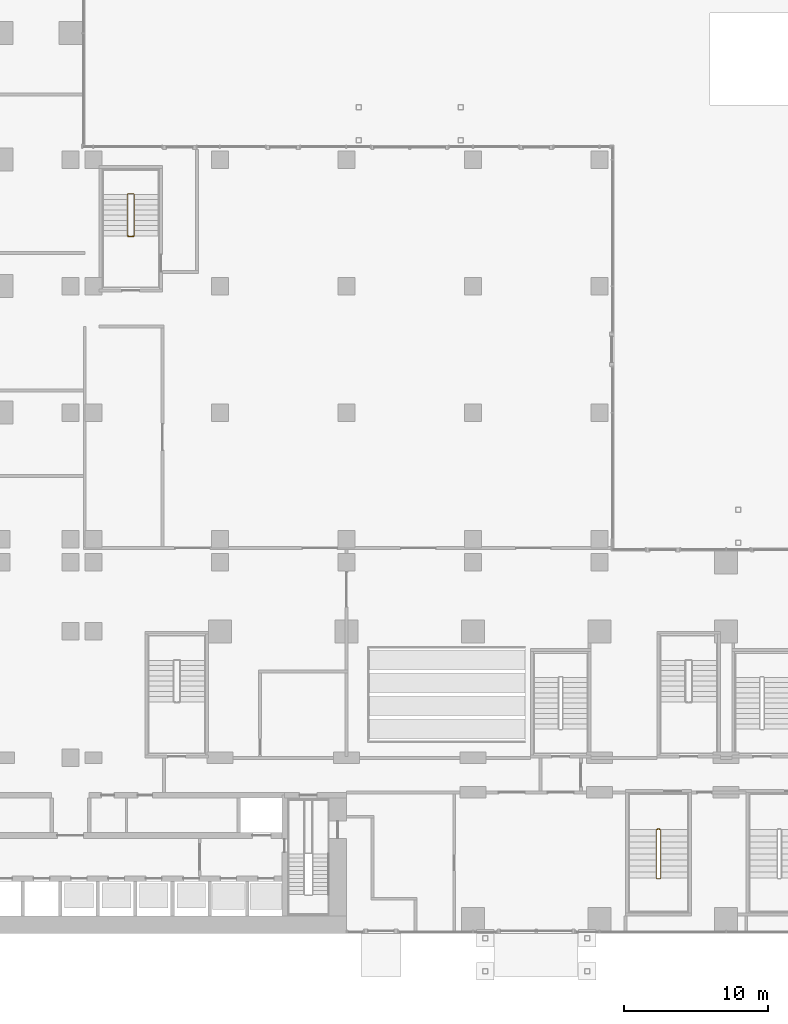
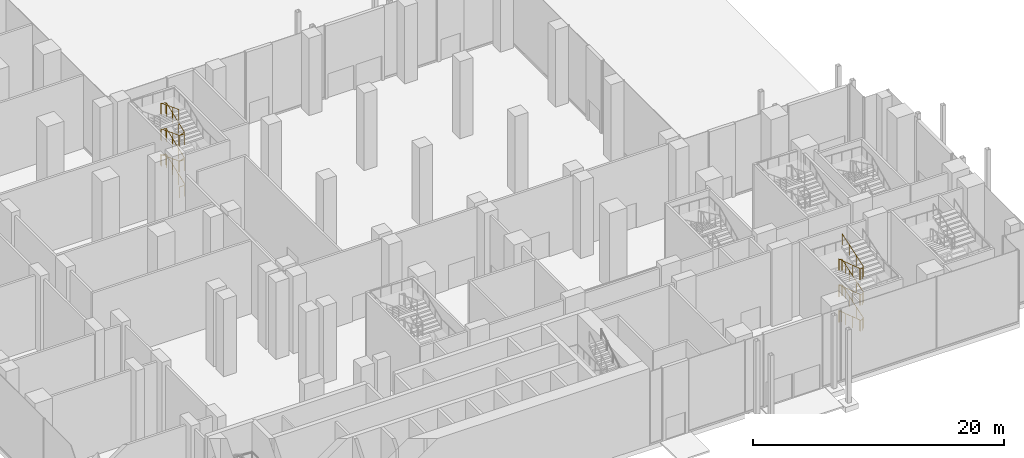
# One storey, part 36 of 41: 2 railings.
"""IFC4 building model written with IfcOpenShell, lengths in metres."""

from ifc_helpers import new_model, si_unit, direction, frame, origin, origin_2d, place, context, subcontext, project, spatial, circle, extrude, material, type_object, element, save


model = new_model("IFC4")

# Units and contexts
model_context = context("Model", 3, precision=1e-05, world=origin(), true_north=direction((0.0, 1.0)))
body_context = subcontext(model_context, "Body", "Model", "MODEL_VIEW")
ifc_project = project(units=[si_unit("LENGTHUNIT", "METRE"), si_unit("AREAUNIT", "SQUARE_METRE"), si_unit("VOLUMEUNIT", "CUBIC_METRE"), si_unit("PLANEANGLEUNIT", "RADIAN"), si_unit("MASSUNIT", "GRAM", prefix="KILO")], contexts=[model_context])

# Site, building, storey
site_placement = place(None, origin())
site = spatial("IfcSite", under=ifc_project, at=site_placement, CompositionType="ELEMENT")
building_placement = place(site_placement, origin())
building = spatial("IfcBuilding", under=site, at=building_placement, Name="Kemantara Hotel Tower", CompositionType="ELEMENT")
storey_placement = place(building_placement, origin())
storey = spatial("IfcBuildingStorey", under=building, at=storey_placement, Name="L00", CompositionType="ELEMENT", Elevation=0.0)

# Railings
ifc_material = material(Name="Stainless steel balustrade", Category="steel")
railing_type = type_object("IfcRailingType", Name="Stair guard 1100 mm", PredefinedType="GUARDRAIL", material=ifc_material)
railing_1_placement = place(storey_placement, frame((29.75, 48.5, 7.5)))
element("IfcRailing", 1, at=railing_1_placement, inside=storey, type_object=railing_type, Name="L00 PS2 stair guard 1", PredefinedType="GUARDRAIL", context=body_context, shape_type="SweptSolid", body=[
    extrude(circle(Radius=0.02392578125, at=origin_2d()), frame((0.0, 0.0, 1.076171875), z_axis=(0.0, 0.932972064118, -0.359948784656), x_axis=(-1.0, 0.0, 0.0)), (0.0, 0.0, 1.0), 3.086669921875),
    extrude(circle(Radius=0.02392578125, at=origin_2d()), frame((0.0, 2.8798828125, -0.03515625), z_axis=(0.321014310373, 0.321014310373, -0.891010451718), x_axis=(-0.707106781187, 0.707106781187, 0.0)), (0.0, 0.0, 1.0), 0.156005859375),
    extrude(circle(Radius=0.02392578125, at=origin_2d()), frame((0.050048828125, 2.929931640625, -0.173828125), z_axis=(1.0, 0.0, 0.0), x_axis=(0.0, 1.0, 0.0)), (0.0, 0.0, 1.0), 0.39990234375),
    extrude(circle(Radius=0.02392578125, at=origin_2d()), frame((0.449951171875, 2.929931640625, -0.173828125), z_axis=(0.707106781187, -0.707106781187, 0.0), x_axis=(0.707106781187, 0.707106781187, 0.0)), (0.0, 0.0, 1.0), 0.07080078125),
    extrude(circle(Radius=0.02392578125, at=origin_2d()), frame((0.5, 2.8798828125, -0.173828125), z_axis=(0.0, -0.932972064118, -0.359948784656), x_axis=(1.0, 0.0, 0.0)), (0.0, 0.0, 1.0), 3.086669921875),
    extrude(circle(Radius=0.02392578125, at=origin_2d()), frame((0.5, 0.0, -1.28515625), z_axis=(-0.950147067569, -0.105686461667, -0.293344374089), x_axis=(0.110549901152, -0.993870574751, 0.0)), (0.0, 0.0, 1.0), 0.4736328125),
    extrude(circle(Radius=0.02392578125, at=origin_2d()), frame((0.050048828125, -0.050048828125, -1.423828125), z_axis=(1.0, 0.0, 0.0), x_axis=(0.0, 1.0, 0.0)), (0.0, 0.0, 1.0), 0.39990234375),
    extrude(circle(Radius=0.02392578125, at=origin_2d()), frame((0.449951171875, -0.050048828125, -1.423828125), z_axis=(-0.993870574751, 0.110549901152, 0.0), x_axis=(-0.110549901152, -0.993870574751, 0.0)), (0.0, 0.0, 1.0), 0.45263671875),
    extrude(circle(Radius=0.02392578125, at=origin_2d()), frame((0.0, 0.0, -1.423828125), z_axis=(0.0, 0.932972064118, -0.359948784656), x_axis=(-1.0, 0.0, 0.0)), (0.0, 0.0, 1.0), 3.086669921875),
    extrude(circle(Radius=0.02392578125, at=origin_2d()), frame((0.0, 2.8798828125, -2.53515625), z_axis=(0.321014310373, 0.321014310373, -0.891010451718), x_axis=(-0.707106781187, 0.707106781187, 0.0)), (0.0, 0.0, 1.0), 0.156005859375),
    extrude(circle(Radius=0.02392578125, at=origin_2d()), frame((0.050048828125, 2.929931640625, -2.673828125), z_axis=(1.0, 0.0, 0.0), x_axis=(0.0, 1.0, 0.0)), (0.0, 0.0, 1.0), 0.39990234375),
    extrude(circle(Radius=0.02392578125, at=origin_2d()), frame((0.449951171875, 2.929931640625, -2.673828125), z_axis=(0.707106781187, -0.707106781187, 0.0), x_axis=(0.707106781187, 0.707106781187, 0.0)), (0.0, 0.0, 1.0), 0.07080078125),
    extrude(circle(Radius=0.02392578125, at=origin_2d()), frame((0.5, 2.8798828125, -2.673828125), z_axis=(0.0, -0.932972064118, -0.359948784656), x_axis=(1.0, 0.0, 0.0)), (0.0, 0.0, 1.0), 3.086669921875),
    extrude(circle(Radius=0.02392578125, at=origin_2d()), frame((0.5, 0.0, -3.78515625), z_axis=(-0.950147067569, -0.105686461667, -0.293344374089), x_axis=(0.110549901152, -0.993870574751, 0.0)), (0.0, 0.0, 1.0), 0.4736328125),
    extrude(circle(Radius=0.02392578125, at=origin_2d()), frame((0.050048828125, -0.050048828125, -3.923828125), z_axis=(1.0, 0.0, 0.0), x_axis=(0.0, 1.0, 0.0)), (0.0, 0.0, 1.0), 0.39990234375),
    extrude(circle(Radius=0.02392578125, at=origin_2d()), frame((0.449951171875, -0.050048828125, -3.923828125), z_axis=(-0.993870574751, 0.110549901152, 0.0), x_axis=(-0.110549901152, -0.993870574751, 0.0)), (0.0, 0.0, 1.0), 0.45263671875),
    extrude(circle(Radius=0.02392578125, at=origin_2d()), frame((0.0, 0.0, -3.923828125), z_axis=(0.0, 0.932972064118, -0.359948784656), x_axis=(-1.0, 0.0, 0.0)), (0.0, 0.0, 1.0), 3.086669921875),
    extrude(circle(Radius=0.02392578125, at=origin_2d()), frame((0.0, 2.8798828125, -5.03515625), z_axis=(0.321014310373, 0.321014310373, -0.891010451718), x_axis=(-0.707106781187, 0.707106781187, 0.0)), (0.0, 0.0, 1.0), 0.156005859375),
    extrude(circle(Radius=0.02392578125, at=origin_2d()), frame((0.050048828125, 2.929931640625, -5.173828125), z_axis=(1.0, 0.0, 0.0), x_axis=(0.0, 1.0, 0.0)), (0.0, 0.0, 1.0), 0.39990234375),
    extrude(circle(Radius=0.02392578125, at=origin_2d()), frame((0.449951171875, 2.929931640625, -5.173828125), z_axis=(0.707106781187, -0.707106781187, 0.0), x_axis=(0.707106781187, 0.707106781187, 0.0)), (0.0, 0.0, 1.0), 0.07080078125),
    extrude(circle(Radius=0.02392578125, at=origin_2d()), frame((0.5, 2.8798828125, -5.173828125), z_axis=(0.0, -0.932972064118, -0.359948784656), x_axis=(1.0, 0.0, 0.0)), (0.0, 0.0, 1.0), 3.086669921875),
    extrude(circle(Radius=0.02392578125, at=origin_2d()), frame((0.5, 0.0, -6.28515625), z_axis=(-0.321014310373, -0.321014310373, -0.891010451718), x_axis=(0.707106781187, -0.707106781187, 0.0)), (0.0, 0.0, 1.0), 0.156005859375),
    extrude(circle(Radius=0.02392578125, at=origin_2d()), frame((0.449951171875, -0.050048828125, -6.423828125), z_axis=(-1.0, 0.0, 0.0), x_axis=(0.0, -1.0, 0.0)), (0.0, 0.0, 1.0), 0.39990234375),
    extrude(circle(Radius=0.02099609375, at=origin_2d()), origin(), (0.0, 0.0, 1.0), 1.052001953125),
    extrude(circle(Radius=0.02099609375, at=origin_2d()), frame((0.0, 0.9599609375, -0.370361328125)), (0.0, 0.0, 1.0), 1.052001953125),
    extrude(circle(Radius=0.02099609375, at=origin_2d()), frame((0.0, 1.919921875, -0.74072265625)), (0.0, 0.0, 1.0), 1.052001953125),
    extrude(circle(Radius=0.02099609375, at=origin_2d()), frame((0.0, 2.8798828125, -1.111083984375)), (0.0, 0.0, 1.0), 1.052001953125),
    extrude(circle(Radius=0.02099609375, at=origin_2d()), frame((0.050048828125, 2.929931640625, -1.25)), (0.0, 0.0, 1.0), 1.052001953125),
    extrude(circle(Radius=0.02099609375, at=origin_2d()), frame((0.449951171875, 2.929931640625, -1.25)), (0.0, 0.0, 1.0), 1.052001953125),
    extrude(circle(Radius=0.02099609375, at=origin_2d()), frame((0.5, 2.8798828125, -1.25)), (0.0, 0.0, 1.0), 1.052001953125),
    extrude(circle(Radius=0.02099609375, at=origin_2d()), frame((0.5, 1.919921875, -1.620361328125)), (0.0, 0.0, 1.0), 1.052001953125),
    extrude(circle(Radius=0.02099609375, at=origin_2d()), frame((0.5, 0.9599609375, -1.99072265625)), (0.0, 0.0, 1.0), 1.052001953125),
    extrude(circle(Radius=0.02099609375, at=origin_2d()), frame((0.5, 0.0, -2.361083984375)), (0.0, 0.0, 1.0), 1.052001953125),
    extrude(circle(Radius=0.02099609375, at=origin_2d()), frame((0.050048828125, -0.050048828125, -2.5)), (0.0, 0.0, 1.0), 1.052001953125),
    extrude(circle(Radius=0.02099609375, at=origin_2d()), frame((0.449951171875, -0.050048828125, -2.5)), (0.0, 0.0, 1.0), 1.052001953125),
    extrude(circle(Radius=0.02099609375, at=origin_2d()), frame((0.0, 0.0, -2.5)), (0.0, 0.0, 1.0), 1.052001953125),
    extrude(circle(Radius=0.02099609375, at=origin_2d()), frame((0.0, 0.9599609375, -2.870361328125)), (0.0, 0.0, 1.0), 1.052001953125),
    extrude(circle(Radius=0.02099609375, at=origin_2d()), frame((0.0, 1.919921875, -3.24072265625)), (0.0, 0.0, 1.0), 1.052001953125),
    extrude(circle(Radius=0.02099609375, at=origin_2d()), frame((0.0, 2.8798828125, -3.611083984375)), (0.0, 0.0, 1.0), 1.052001953125),
    extrude(circle(Radius=0.02099609375, at=origin_2d()), frame((0.050048828125, 2.929931640625, -3.75)), (0.0, 0.0, 1.0), 1.052001953125),
    extrude(circle(Radius=0.02099609375, at=origin_2d()), frame((0.449951171875, 2.929931640625, -3.75)), (0.0, 0.0, 1.0), 1.052001953125),
    extrude(circle(Radius=0.02099609375, at=origin_2d()), frame((0.5, 2.8798828125, -3.75)), (0.0, 0.0, 1.0), 1.052001953125),
    extrude(circle(Radius=0.02099609375, at=origin_2d()), frame((0.5, 1.919921875, -4.120361328125)), (0.0, 0.0, 1.0), 1.052001953125),
    extrude(circle(Radius=0.02099609375, at=origin_2d()), frame((0.5, 0.9599609375, -4.49072265625)), (0.0, 0.0, 1.0), 1.052001953125),
    extrude(circle(Radius=0.02099609375, at=origin_2d()), frame((0.5, 0.0, -4.861083984375)), (0.0, 0.0, 1.0), 1.052001953125),
    extrude(circle(Radius=0.02099609375, at=origin_2d()), frame((0.050048828125, -0.050048828125, -5.0)), (0.0, 0.0, 1.0), 1.052001953125),
    extrude(circle(Radius=0.02099609375, at=origin_2d()), frame((0.449951171875, -0.050048828125, -5.0)), (0.0, 0.0, 1.0), 1.052001953125),
    extrude(circle(Radius=0.02099609375, at=origin_2d()), frame((0.0, 0.0, -5.0)), (0.0, 0.0, 1.0), 1.052001953125),
    extrude(circle(Radius=0.02099609375, at=origin_2d()), frame((0.0, 0.9599609375, -5.370361328125)), (0.0, 0.0, 1.0), 1.052001953125),
    extrude(circle(Radius=0.02099609375, at=origin_2d()), frame((0.0, 1.919921875, -5.74072265625)), (0.0, 0.0, 1.0), 1.052001953125),
    extrude(circle(Radius=0.02099609375, at=origin_2d()), frame((0.0, 2.8798828125, -6.111083984375)), (0.0, 0.0, 1.0), 1.052001953125),
    extrude(circle(Radius=0.02099609375, at=origin_2d()), frame((0.050048828125, 2.929931640625, -6.25)), (0.0, 0.0, 1.0), 1.052001953125),
    extrude(circle(Radius=0.02099609375, at=origin_2d()), frame((0.449951171875, 2.929931640625, -6.25)), (0.0, 0.0, 1.0), 1.052001953125),
    extrude(circle(Radius=0.02099609375, at=origin_2d()), frame((0.5, 2.8798828125, -6.25)), (0.0, 0.0, 1.0), 1.052001953125),
    extrude(circle(Radius=0.02099609375, at=origin_2d()), frame((0.5, 1.919921875, -6.620361328125)), (0.0, 0.0, 1.0), 1.052001953125),
    extrude(circle(Radius=0.02099609375, at=origin_2d()), frame((0.5, 0.9599609375, -6.99072265625)), (0.0, 0.0, 1.0), 1.052001953125),
    extrude(circle(Radius=0.02099609375, at=origin_2d()), frame((0.5, 0.0, -7.361083984375)), (0.0, 0.0, 1.0), 1.052001953125),
    extrude(circle(Radius=0.02099609375, at=origin_2d()), frame((0.449951171875, -0.050048828125, -7.5)), (0.0, 0.0, 1.0), 1.052001953125),
    extrude(circle(Radius=0.02099609375, at=origin_2d()), frame((0.050048828125, -0.050048828125, -7.5)), (0.0, 0.0, 1.0), 1.052001953125),
])
railing_2_placement = place(storey_placement, frame((66.85009765625, 7.199951171875, 7.5)))
element("IfcRailing", 2, at=railing_2_placement, inside=storey, type_object=railing_type, Name="L00 PS4 stair guard 1", PredefinedType="GUARDRAIL", context=body_context, shape_type="SweptSolid", body=[
    extrude(circle(Radius=0.02392578125, at=origin_2d()), frame((0.0, 0.0, 1.076171875), z_axis=(0.0, -0.949432600572, -0.313970917396), x_axis=(1.0, 0.0, 0.0)), (0.0, 0.0, 1.0), 3.538818359375),
    extrude(circle(Radius=0.02392578125, at=origin_2d()), frame((0.0, -3.35986328125, -0.03515625), z_axis=(-0.321014310373, -0.321014310373, -0.891010451718), x_axis=(0.707106781187, -0.707106781187, 0.0)), (0.0, 0.0, 1.0), 0.156005859375),
    extrude(circle(Radius=0.02392578125, at=origin_2d()), frame((-0.050048828125, -3.409912109375, -0.173828125), z_axis=(-1.0, 0.0, 0.0), x_axis=(0.0, -1.0, 0.0)), (0.0, 0.0, 1.0), 0.199951171875),
    extrude(circle(Radius=0.02392578125, at=origin_2d()), frame((-0.25, -3.409912109375, -0.173828125), z_axis=(-0.707106781187, 0.707106781187, 0.0), x_axis=(-0.707106781187, -0.707106781187, 0.0)), (0.0, 0.0, 1.0), 0.07080078125),
    extrude(circle(Radius=0.02392578125, at=origin_2d()), frame((-0.300048828125, -3.35986328125, -0.173828125), z_axis=(0.0, 0.949432600572, -0.313970917396), x_axis=(-1.0, 0.0, 0.0)), (0.0, 0.0, 1.0), 3.538818359375),
    extrude(circle(Radius=0.02392578125, at=origin_2d()), frame((-0.300048828125, 0.0, -1.28515625), z_axis=(0.861032742868, 0.172374719031, -0.478444951847), x_axis=(-0.196300278283, 0.98054382908, 0.0)), (0.0, 0.0, 1.0), 0.290283203125),
    extrude(circle(Radius=0.02392578125, at=origin_2d()), frame((-0.050048828125, 0.050048828125, -1.423828125), z_axis=(-1.0, 0.0, 0.0), x_axis=(0.0, -1.0, 0.0)), (0.0, 0.0, 1.0), 0.199951171875),
    extrude(circle(Radius=0.02392578125, at=origin_2d()), frame((-0.25, 0.050048828125, -1.423828125), z_axis=(0.98054382908, -0.196300278283, 0.0), x_axis=(0.196300278283, 0.98054382908, 0.0)), (0.0, 0.0, 1.0), 0.2548828125),
    extrude(circle(Radius=0.02392578125, at=origin_2d()), frame((0.0, 0.0, -1.423828125), z_axis=(0.0, -0.949432600572, -0.313970917396), x_axis=(1.0, 0.0, 0.0)), (0.0, 0.0, 1.0), 3.538818359375),
    extrude(circle(Radius=0.02392578125, at=origin_2d()), frame((0.0, -3.35986328125, -2.53515625), z_axis=(-0.321014310373, -0.321014310373, -0.891010451718), x_axis=(0.707106781187, -0.707106781187, 0.0)), (0.0, 0.0, 1.0), 0.156005859375),
    extrude(circle(Radius=0.02392578125, at=origin_2d()), frame((-0.050048828125, -3.409912109375, -2.673828125), z_axis=(-1.0, 0.0, 0.0), x_axis=(0.0, -1.0, 0.0)), (0.0, 0.0, 1.0), 0.199951171875),
    extrude(circle(Radius=0.02392578125, at=origin_2d()), frame((-0.25, -3.409912109375, -2.673828125), z_axis=(-0.707106781187, 0.707106781187, 0.0), x_axis=(-0.707106781187, -0.707106781187, 0.0)), (0.0, 0.0, 1.0), 0.07080078125),
    extrude(circle(Radius=0.02392578125, at=origin_2d()), frame((-0.300048828125, -3.35986328125, -2.673828125), z_axis=(0.0, 0.949432600572, -0.313970917396), x_axis=(-1.0, 0.0, 0.0)), (0.0, 0.0, 1.0), 3.538818359375),
    extrude(circle(Radius=0.02392578125, at=origin_2d()), frame((-0.300048828125, 0.0, -3.78515625), z_axis=(0.861032742868, 0.172374719031, -0.478444951847), x_axis=(-0.196300278283, 0.98054382908, 0.0)), (0.0, 0.0, 1.0), 0.290283203125),
    extrude(circle(Radius=0.02392578125, at=origin_2d()), frame((-0.050048828125, 0.050048828125, -3.923828125), z_axis=(-1.0, 0.0, 0.0), x_axis=(0.0, -1.0, 0.0)), (0.0, 0.0, 1.0), 0.199951171875),
    extrude(circle(Radius=0.02392578125, at=origin_2d()), frame((-0.25, 0.050048828125, -3.923828125), z_axis=(0.98054382908, -0.196300278283, 0.0), x_axis=(0.196300278283, 0.98054382908, 0.0)), (0.0, 0.0, 1.0), 0.2548828125),
    extrude(circle(Radius=0.02392578125, at=origin_2d()), frame((0.0, 0.0, -3.923828125), z_axis=(0.0, -0.949432600572, -0.313970917396), x_axis=(1.0, 0.0, 0.0)), (0.0, 0.0, 1.0), 3.538818359375),
    extrude(circle(Radius=0.02392578125, at=origin_2d()), frame((0.0, -3.35986328125, -5.03515625), z_axis=(-0.321014310373, -0.321014310373, -0.891010451718), x_axis=(0.707106781187, -0.707106781187, 0.0)), (0.0, 0.0, 1.0), 0.156005859375),
    extrude(circle(Radius=0.02392578125, at=origin_2d()), frame((-0.050048828125, -3.409912109375, -5.173828125), z_axis=(-1.0, 0.0, 0.0), x_axis=(0.0, -1.0, 0.0)), (0.0, 0.0, 1.0), 0.199951171875),
    extrude(circle(Radius=0.02392578125, at=origin_2d()), frame((-0.25, -3.409912109375, -5.173828125), z_axis=(-0.707106781187, 0.707106781187, 0.0), x_axis=(-0.707106781187, -0.707106781187, 0.0)), (0.0, 0.0, 1.0), 0.07080078125),
    extrude(circle(Radius=0.02392578125, at=origin_2d()), frame((-0.300048828125, -3.35986328125, -5.173828125), z_axis=(0.0, 0.949432600572, -0.313970917396), x_axis=(-1.0, 0.0, 0.0)), (0.0, 0.0, 1.0), 3.538818359375),
    extrude(circle(Radius=0.02392578125, at=origin_2d()), frame((-0.300048828125, 0.0, -6.28515625), z_axis=(0.321014310373, 0.321014310373, -0.891010451718), x_axis=(-0.707106781187, 0.707106781187, 0.0)), (0.0, 0.0, 1.0), 0.156005859375),
    extrude(circle(Radius=0.02392578125, at=origin_2d()), frame((-0.25, 0.050048828125, -6.423828125), z_axis=(1.0, 0.0, 0.0), x_axis=(0.0, 1.0, 0.0)), (0.0, 0.0, 1.0), 0.199951171875),
    extrude(circle(Radius=0.02099609375, at=origin_2d()), origin(), (0.0, 0.0, 1.0), 1.052001953125),
    extrude(circle(Radius=0.02099609375, at=origin_2d()), frame((0.0, -1.119873046875, -0.370361328125)), (0.0, 0.0, 1.0), 1.052001953125),
    extrude(circle(Radius=0.02099609375, at=origin_2d()), frame((0.0, -2.239990234375, -0.74072265625)), (0.0, 0.0, 1.0), 1.052001953125),
    extrude(circle(Radius=0.02099609375, at=origin_2d()), frame((0.0, -3.35986328125, -1.111083984375)), (0.0, 0.0, 1.0), 1.052001953125),
    extrude(circle(Radius=0.02099609375, at=origin_2d()), frame((-0.050048828125, -3.409912109375, -1.25)), (0.0, 0.0, 1.0), 1.052001953125),
    extrude(circle(Radius=0.02099609375, at=origin_2d()), frame((-0.25, -3.409912109375, -1.25)), (0.0, 0.0, 1.0), 1.052001953125),
    extrude(circle(Radius=0.02099609375, at=origin_2d()), frame((-0.300048828125, -3.35986328125, -1.25)), (0.0, 0.0, 1.0), 1.052001953125),
    extrude(circle(Radius=0.02099609375, at=origin_2d()), frame((-0.300048828125, -2.239990234375, -1.620361328125)), (0.0, 0.0, 1.0), 1.052001953125),
    extrude(circle(Radius=0.02099609375, at=origin_2d()), frame((-0.300048828125, -1.119873046875, -1.99072265625)), (0.0, 0.0, 1.0), 1.052001953125),
    extrude(circle(Radius=0.02099609375, at=origin_2d()), frame((-0.300048828125, 0.0, -2.361083984375)), (0.0, 0.0, 1.0), 1.052001953125),
    extrude(circle(Radius=0.02099609375, at=origin_2d()), frame((-0.050048828125, 0.050048828125, -2.5)), (0.0, 0.0, 1.0), 1.052001953125),
    extrude(circle(Radius=0.02099609375, at=origin_2d()), frame((-0.25, 0.050048828125, -2.5)), (0.0, 0.0, 1.0), 1.052001953125),
    extrude(circle(Radius=0.02099609375, at=origin_2d()), frame((0.0, 0.0, -2.5)), (0.0, 0.0, 1.0), 1.052001953125),
    extrude(circle(Radius=0.02099609375, at=origin_2d()), frame((0.0, -1.119873046875, -2.870361328125)), (0.0, 0.0, 1.0), 1.052001953125),
    extrude(circle(Radius=0.02099609375, at=origin_2d()), frame((0.0, -2.239990234375, -3.24072265625)), (0.0, 0.0, 1.0), 1.052001953125),
    extrude(circle(Radius=0.02099609375, at=origin_2d()), frame((0.0, -3.35986328125, -3.611083984375)), (0.0, 0.0, 1.0), 1.052001953125),
    extrude(circle(Radius=0.02099609375, at=origin_2d()), frame((-0.050048828125, -3.409912109375, -3.75)), (0.0, 0.0, 1.0), 1.052001953125),
    extrude(circle(Radius=0.02099609375, at=origin_2d()), frame((-0.25, -3.409912109375, -3.75)), (0.0, 0.0, 1.0), 1.052001953125),
    extrude(circle(Radius=0.02099609375, at=origin_2d()), frame((-0.300048828125, -3.35986328125, -3.75)), (0.0, 0.0, 1.0), 1.052001953125),
    extrude(circle(Radius=0.02099609375, at=origin_2d()), frame((-0.300048828125, -2.239990234375, -4.120361328125)), (0.0, 0.0, 1.0), 1.052001953125),
    extrude(circle(Radius=0.02099609375, at=origin_2d()), frame((-0.300048828125, -1.119873046875, -4.49072265625)), (0.0, 0.0, 1.0), 1.052001953125),
    extrude(circle(Radius=0.02099609375, at=origin_2d()), frame((-0.300048828125, 0.0, -4.861083984375)), (0.0, 0.0, 1.0), 1.052001953125),
    extrude(circle(Radius=0.02099609375, at=origin_2d()), frame((-0.050048828125, 0.050048828125, -5.0)), (0.0, 0.0, 1.0), 1.052001953125),
    extrude(circle(Radius=0.02099609375, at=origin_2d()), frame((-0.25, 0.050048828125, -5.0)), (0.0, 0.0, 1.0), 1.052001953125),
    extrude(circle(Radius=0.02099609375, at=origin_2d()), frame((0.0, 0.0, -5.0)), (0.0, 0.0, 1.0), 1.052001953125),
    extrude(circle(Radius=0.02099609375, at=origin_2d()), frame((0.0, -1.119873046875, -5.370361328125)), (0.0, 0.0, 1.0), 1.052001953125),
    extrude(circle(Radius=0.02099609375, at=origin_2d()), frame((0.0, -2.239990234375, -5.74072265625)), (0.0, 0.0, 1.0), 1.052001953125),
    extrude(circle(Radius=0.02099609375, at=origin_2d()), frame((0.0, -3.35986328125, -6.111083984375)), (0.0, 0.0, 1.0), 1.052001953125),
    extrude(circle(Radius=0.02099609375, at=origin_2d()), frame((-0.050048828125, -3.409912109375, -6.25)), (0.0, 0.0, 1.0), 1.052001953125),
    extrude(circle(Radius=0.02099609375, at=origin_2d()), frame((-0.25, -3.409912109375, -6.25)), (0.0, 0.0, 1.0), 1.052001953125),
    extrude(circle(Radius=0.02099609375, at=origin_2d()), frame((-0.300048828125, -3.35986328125, -6.25)), (0.0, 0.0, 1.0), 1.052001953125),
    extrude(circle(Radius=0.02099609375, at=origin_2d()), frame((-0.300048828125, -2.239990234375, -6.620361328125)), (0.0, 0.0, 1.0), 1.052001953125),
    extrude(circle(Radius=0.02099609375, at=origin_2d()), frame((-0.300048828125, -1.119873046875, -6.99072265625)), (0.0, 0.0, 1.0), 1.052001953125),
    extrude(circle(Radius=0.02099609375, at=origin_2d()), frame((-0.300048828125, 0.0, -7.361083984375)), (0.0, 0.0, 1.0), 1.052001953125),
    extrude(circle(Radius=0.02099609375, at=origin_2d()), frame((-0.25, 0.050048828125, -7.5)), (0.0, 0.0, 1.0), 1.052001953125),
    extrude(circle(Radius=0.02099609375, at=origin_2d()), frame((-0.050048828125, 0.050048828125, -7.5)), (0.0, 0.0, 1.0), 1.052001953125),
])

save(model, "model.ifc")
